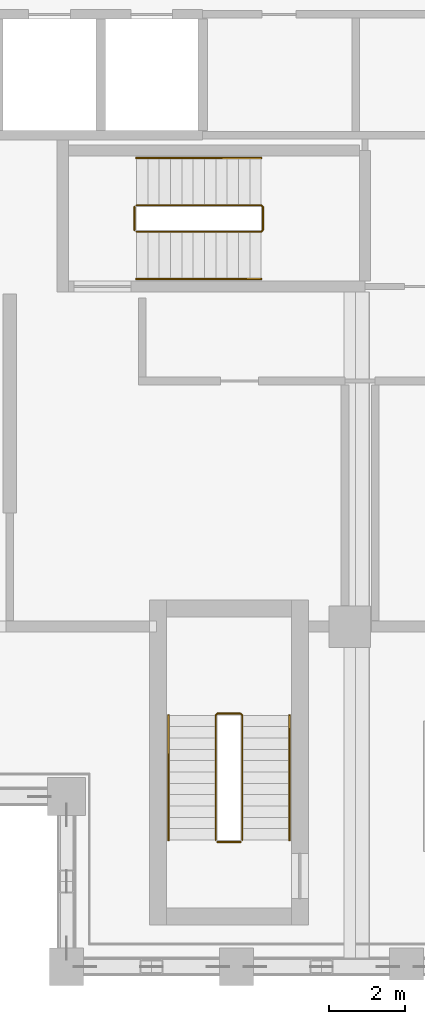
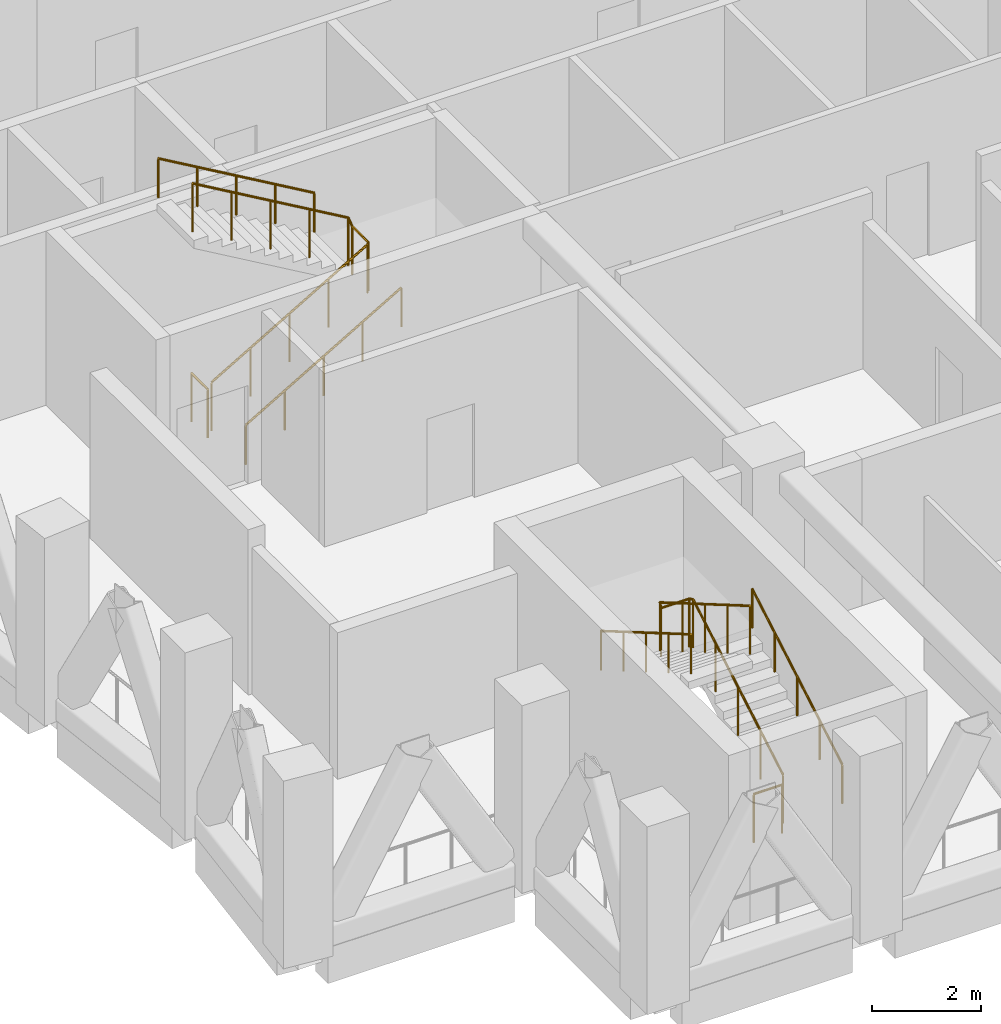
# One storey, part 16 of 18: 8 railings.
"""IFC4 building model written with IfcOpenShell, lengths in metres."""

from ifc_helpers import new_model, si_unit, direction, frame, origin, origin_2d, place, context, subcontext, project, spatial, circle, extrude, material, type_object, element, save


model = new_model("IFC4")

# Units and contexts
model_context = context("Model", 3, precision=1e-05, world=origin(), true_north=direction((0.0, 1.0)))
body_context = subcontext(model_context, "Body", "Model", "MODEL_VIEW")
ifc_project = project(units=[si_unit("LENGTHUNIT", "METRE"), si_unit("AREAUNIT", "SQUARE_METRE"), si_unit("VOLUMEUNIT", "CUBIC_METRE"), si_unit("PLANEANGLEUNIT", "RADIAN"), si_unit("MASSUNIT", "GRAM", prefix="KILO")], contexts=[model_context])

# Site, building, storey
site_placement = place(None, origin())
site = spatial("IfcSite", under=ifc_project, at=site_placement, CompositionType="ELEMENT")
building_placement = place(site_placement, origin())
building = spatial("IfcBuilding", under=site, at=building_placement, Name="Brondeck Convention Tower", CompositionType="ELEMENT")
storey_placement = place(building_placement, frame((0.0, 0.0, 248.199951171875)))
storey = spatial("IfcBuildingStorey", under=building, at=storey_placement, Name="L61", CompositionType="ELEMENT", Elevation=248.199951171875)

# Railings
ifc_material = material(Name="Steel S355", Category="steel")
railing_type_1 = type_object("IfcRailingType", Name="Stair guard 1100", PredefinedType="GUARDRAIL", material=ifc_material)
railing_1_placement = place(storey_placement, frame((6.35009765625, 37.449951171875, 0.175048828125)))
element("IfcRailing", 1, at=railing_1_placement, inside=storey, type_object=railing_type_1, Name="L61 ST-1 stair guard 1", PredefinedType="GUARDRAIL", context=body_context, shape_type="SweptSolid", body=[
    extrude(circle(Radius=0.02392578125, at=origin_2d()), frame((0.0, 0.0, 1.076171875), z_axis=(0.863760357493, 0.0, 0.503902812876), x_axis=(0.0, 1.0, 0.0)), (0.0, 0.0, 1.0), 3.8203125),
    extrude(circle(Radius=0.02392578125, at=origin_2d()), frame((3.2998046875, 0.0, 3.0009765625), z_axis=(0.707106781187, 0.707106781187, 0.0), x_axis=(-0.707106781187, 0.707106781187, 0.0)), (0.0, 0.0, 1.0), 0.07080078125),
    extrude(circle(Radius=0.02392578125, at=origin_2d()), frame((3.349853515625, 0.050048828125, 3.0009765625), z_axis=(0.0, 1.0, 0.0), x_axis=(-1.0, 0.0, 0.0)), (0.0, 0.0, 1.0), 0.60009765625),
    extrude(circle(Radius=0.02392578125, at=origin_2d()), frame((3.349853515625, 0.650146484375, 3.0009765625), z_axis=(-0.265155923931, 0.263862480399, 0.927399011991), x_axis=(-0.705375805398, -0.708833529934, 0.0)), (0.0, 0.0, 1.0), 0.188720703125),
    extrude(circle(Radius=0.02392578125, at=origin_2d()), frame((3.2998046875, 0.699951171875, 3.17626953125), z_axis=(-0.863788172461, 0.0, 0.503855131081), x_axis=(0.0, -1.0, 0.0)), (0.0, 0.0, 1.0), 3.820068359375),
    extrude(circle(Radius=0.02099609375, at=origin_2d()), origin(), (0.0, 0.0, 1.0), 1.052001953125),
    extrude(circle(Radius=0.02099609375, at=origin_2d()), frame((0.824951171875, 0.0, 0.481201171875)), (0.0, 0.0, 1.0), 1.052001953125),
    extrude(circle(Radius=0.02099609375, at=origin_2d()), frame((1.64990234375, 0.0, 0.96240234375)), (0.0, 0.0, 1.0), 1.052001953125),
    extrude(circle(Radius=0.02099609375, at=origin_2d()), frame((2.474853515625, 0.0, 1.44384765625)), (0.0, 0.0, 1.0), 1.052001953125),
    extrude(circle(Radius=0.02099609375, at=origin_2d()), frame((3.2998046875, 0.0, 1.925048828125)), (0.0, 0.0, 1.0), 1.052001953125),
    extrude(circle(Radius=0.02099609375, at=origin_2d()), frame((3.349853515625, 0.050048828125, 1.925048828125)), (0.0, 0.0, 1.0), 1.052001953125),
    extrude(circle(Radius=0.02099609375, at=origin_2d()), frame((3.349853515625, 0.650146484375, 1.925048828125)), (0.0, 0.0, 1.0), 1.052001953125),
    extrude(circle(Radius=0.02099609375, at=origin_2d()), frame((3.2998046875, 0.699951171875, 2.10009765625)), (0.0, 0.0, 1.0), 1.052001953125),
    extrude(circle(Radius=0.02099609375, at=origin_2d()), frame((2.474853515625, 0.699951171875, 2.581298828125)), (0.0, 0.0, 1.0), 1.052001953125),
    extrude(circle(Radius=0.02099609375, at=origin_2d()), frame((1.64990234375, 0.699951171875, 3.0625)), (0.0, 0.0, 1.0), 1.052001953125),
    extrude(circle(Radius=0.02099609375, at=origin_2d()), frame((0.824951171875, 0.699951171875, 3.543701171875)), (0.0, 0.0, 1.0), 1.052001953125),
    extrude(circle(Radius=0.02099609375, at=origin_2d()), frame((0.0, 0.699951171875, 4.02490234375)), (0.0, 0.0, 1.0), 1.052001953125),
])
railing_2_placement = place(storey_placement, frame((6.300048828125, 37.5, 0.0)))
element("IfcRailing", 2, at=railing_2_placement, inside=storey, type_object=railing_type_1, Name="L61 ST-1 stair guard 2", PredefinedType="GUARDRAIL", context=body_context, shape_type="SweptSolid", body=[
    extrude(circle(Radius=0.02392578125, at=origin_2d()), frame((0.0, 0.0, 1.076171875), z_axis=(0.0, 1.0, 0.0), x_axis=(-1.0, 0.0, 0.0)), (0.0, 0.0, 1.0), 0.60009765625),
    extrude(circle(Radius=0.02099609375, at=origin_2d()), origin(), (0.0, 0.0, 1.0), 1.052001953125),
    extrude(circle(Radius=0.02099609375, at=origin_2d()), frame((0.0, 0.60009765625, 0.0)), (0.0, 0.0, 1.0), 1.052001953125),
])
railing_3_placement = place(storey_placement, frame((9.14990234375, 21.35009765625, 0.175048828125)))
element("IfcRailing", 3, at=railing_3_placement, inside=storey, type_object=railing_type_1, Name="L61 ST-BE stair guard 1", PredefinedType="GUARDRAIL", context=body_context, shape_type="SweptSolid", body=[
    extrude(circle(Radius=0.02392578125, at=origin_2d()), frame((0.0, 0.0, 1.076171875), z_axis=(0.0, 0.863760357493, 0.503902812876), x_axis=(-1.0, 0.0, 0.0)), (0.0, 0.0, 1.0), 3.8203125),
    extrude(circle(Radius=0.02392578125, at=origin_2d()), frame((0.0, 3.2998046875, 3.0009765625), z_axis=(-0.705375805398, 0.708833529934, 0.0), x_axis=(-0.708833529934, -0.705375805398, 0.0)), (0.0, 0.0, 1.0), 0.070556640625),
    extrude(circle(Radius=0.02392578125, at=origin_2d()), frame((-0.0498046875, 3.349853515625, 3.0009765625), z_axis=(-1.0, 0.0, 0.0), x_axis=(0.0, -1.0, 0.0)), (0.0, 0.0, 1.0), 0.60009765625),
    extrude(circle(Radius=0.02392578125, at=origin_2d()), frame((-0.64990234375, 3.349853515625, 3.0009765625), z_axis=(-0.265065253269, -0.265065253269, 0.927081885822), x_axis=(0.707106781187, -0.707106781187, 0.0)), (0.0, 0.0, 1.0), 0.188720703125),
    extrude(circle(Radius=0.02392578125, at=origin_2d()), frame((-0.699951171875, 3.2998046875, 3.17626953125), z_axis=(0.0, -0.863788172461, 0.503855131081), x_axis=(1.0, 0.0, 0.0)), (0.0, 0.0, 1.0), 3.820068359375),
    extrude(circle(Radius=0.02099609375, at=origin_2d()), origin(), (0.0, 0.0, 1.0), 1.052001953125),
    extrude(circle(Radius=0.02099609375, at=origin_2d()), frame((0.0, 0.824951171875, 0.481201171875)), (0.0, 0.0, 1.0), 1.052001953125),
    extrude(circle(Radius=0.02099609375, at=origin_2d()), frame((0.0, 1.64990234375, 0.96240234375)), (0.0, 0.0, 1.0), 1.052001953125),
    extrude(circle(Radius=0.02099609375, at=origin_2d()), frame((0.0, 2.474853515625, 1.44384765625)), (0.0, 0.0, 1.0), 1.052001953125),
    extrude(circle(Radius=0.02099609375, at=origin_2d()), frame((0.0, 3.2998046875, 1.925048828125)), (0.0, 0.0, 1.0), 1.052001953125),
    extrude(circle(Radius=0.02099609375, at=origin_2d()), frame((-0.0498046875, 3.349853515625, 1.925048828125)), (0.0, 0.0, 1.0), 1.052001953125),
    extrude(circle(Radius=0.02099609375, at=origin_2d()), frame((-0.64990234375, 3.349853515625, 1.925048828125)), (0.0, 0.0, 1.0), 1.052001953125),
    extrude(circle(Radius=0.02099609375, at=origin_2d()), frame((-0.699951171875, 3.2998046875, 2.10009765625)), (0.0, 0.0, 1.0), 1.052001953125),
    extrude(circle(Radius=0.02099609375, at=origin_2d()), frame((-0.699951171875, 2.474853515625, 2.581298828125)), (0.0, 0.0, 1.0), 1.052001953125),
    extrude(circle(Radius=0.02099609375, at=origin_2d()), frame((-0.699951171875, 1.64990234375, 3.0625)), (0.0, 0.0, 1.0), 1.052001953125),
    extrude(circle(Radius=0.02099609375, at=origin_2d()), frame((-0.699951171875, 0.824951171875, 3.543701171875)), (0.0, 0.0, 1.0), 1.052001953125),
    extrude(circle(Radius=0.02099609375, at=origin_2d()), frame((-0.699951171875, 0.0, 4.02490234375)), (0.0, 0.0, 1.0), 1.052001953125),
])
railing_4_placement = place(storey_placement, frame((9.10009765625, 21.300048828125, 0.0)))
element("IfcRailing", 4, at=railing_4_placement, inside=storey, type_object=railing_type_1, Name="L61 ST-BE stair guard 2", PredefinedType="GUARDRAIL", context=body_context, shape_type="SweptSolid", body=[
    extrude(circle(Radius=0.02392578125, at=origin_2d()), frame((0.0, 0.0, 1.076171875), z_axis=(-1.0, 0.0, 0.0), x_axis=(0.0, -1.0, 0.0)), (0.0, 0.0, 1.0), 0.60009765625),
    extrude(circle(Radius=0.02099609375, at=origin_2d()), origin(), (0.0, 0.0, 1.0), 1.052001953125),
    extrude(circle(Radius=0.02099609375, at=origin_2d()), frame((-0.60009765625, 0.0, 0.0)), (0.0, 0.0, 1.0), 1.052001953125),
])
railing_type_2 = type_object("IfcRailingType", Name="Stair handrail", PredefinedType="HANDRAIL", material=ifc_material)
railing_5_placement = place(storey_placement, frame((6.35009765625, 36.199951171875, 0.175048828125)))
element("IfcRailing", 5, at=railing_5_placement, inside=storey, type_object=railing_type_2, Name="L61 ST-1 stair handrail 1", PredefinedType="HANDRAIL", context=body_context, shape_type="SweptSolid", body=[
    extrude(circle(Radius=0.02392578125, at=origin_2d()), frame((0.0, 0.0, 0.8759765625), z_axis=(0.863760357493, 0.0, 0.503902812876), x_axis=(0.0, 1.0, 0.0)), (0.0, 0.0, 1.0), 3.8203125),
    extrude(circle(Radius=0.02099609375, at=origin_2d()), origin(), (0.0, 0.0, 1.0), 0.851806640625),
    extrude(circle(Radius=0.02099609375, at=origin_2d()), frame((0.824951171875, 0.0, 0.481201171875)), (0.0, 0.0, 1.0), 0.851806640625),
    extrude(circle(Radius=0.02099609375, at=origin_2d()), frame((1.64990234375, 0.0, 0.96240234375)), (0.0, 0.0, 1.0), 0.851806640625),
    extrude(circle(Radius=0.02099609375, at=origin_2d()), frame((2.474853515625, 0.0, 1.44384765625)), (0.0, 0.0, 1.0), 0.851806640625),
    extrude(circle(Radius=0.02099609375, at=origin_2d()), frame((3.2998046875, 0.0, 1.925048828125)), (0.0, 0.0, 1.0), 0.851806640625),
])
railing_6_placement = place(storey_placement, frame((9.64990234375, 39.39990234375, 2.275146484375)))
element("IfcRailing", 6, at=railing_6_placement, inside=storey, type_object=railing_type_2, Name="L61 ST-1 stair handrail 2", PredefinedType="HANDRAIL", context=body_context, shape_type="SweptSolid", body=[
    extrude(circle(Radius=0.02392578125, at=origin_2d()), frame((0.0, 0.0, 0.8759765625), z_axis=(-0.863788172461, 0.0, 0.503855131081), x_axis=(0.0, -1.0, 0.0)), (0.0, 0.0, 1.0), 3.820068359375),
    extrude(circle(Radius=0.02099609375, at=origin_2d()), origin(), (0.0, 0.0, 1.0), 0.851806640625),
    extrude(circle(Radius=0.02099609375, at=origin_2d()), frame((-0.824951171875, 0.0, 0.481201171875)), (0.0, 0.0, 1.0), 0.851806640625),
    extrude(circle(Radius=0.02099609375, at=origin_2d()), frame((-1.64990234375, 0.0, 0.96240234375)), (0.0, 0.0, 1.0), 0.851806640625),
    extrude(circle(Radius=0.02099609375, at=origin_2d()), frame((-2.474853515625, 0.0, 1.443603515625)), (0.0, 0.0, 1.0), 0.851806640625),
    extrude(circle(Radius=0.02099609375, at=origin_2d()), frame((-3.2998046875, 0.0, 1.9248046875)), (0.0, 0.0, 1.0), 0.851806640625),
])
railing_7_placement = place(storey_placement, frame((10.39990234375, 21.35009765625, 0.175048828125)))
element("IfcRailing", 7, at=railing_7_placement, inside=storey, type_object=railing_type_2, Name="L61 ST-BE stair handrail 1", PredefinedType="HANDRAIL", context=body_context, shape_type="SweptSolid", body=[
    extrude(circle(Radius=0.02392578125, at=origin_2d()), frame((0.0, 0.0, 0.8759765625), z_axis=(0.0, 0.863760357493, 0.503902812876), x_axis=(-1.0, 0.0, 0.0)), (0.0, 0.0, 1.0), 3.8203125),
    extrude(circle(Radius=0.02099609375, at=origin_2d()), origin(), (0.0, 0.0, 1.0), 0.851806640625),
    extrude(circle(Radius=0.02099609375, at=origin_2d()), frame((0.0, 0.824951171875, 0.481201171875)), (0.0, 0.0, 1.0), 0.851806640625),
    extrude(circle(Radius=0.02099609375, at=origin_2d()), frame((0.0, 1.64990234375, 0.96240234375)), (0.0, 0.0, 1.0), 0.851806640625),
    extrude(circle(Radius=0.02099609375, at=origin_2d()), frame((0.0, 2.474853515625, 1.44384765625)), (0.0, 0.0, 1.0), 0.851806640625),
    extrude(circle(Radius=0.02099609375, at=origin_2d()), frame((0.0, 3.2998046875, 1.925048828125)), (0.0, 0.0, 1.0), 0.851806640625),
])
railing_8_placement = place(storey_placement, frame((7.199951171875, 24.64990234375, 2.275146484375)))
element("IfcRailing", 8, at=railing_8_placement, inside=storey, type_object=railing_type_2, Name="L61 ST-BE stair handrail 2", PredefinedType="HANDRAIL", context=body_context, shape_type="SweptSolid", body=[
    extrude(circle(Radius=0.02392578125, at=origin_2d()), frame((0.0, 0.0, 0.8759765625), z_axis=(0.0, -0.863788172461, 0.503855131081), x_axis=(1.0, 0.0, 0.0)), (0.0, 0.0, 1.0), 3.820068359375),
    extrude(circle(Radius=0.02099609375, at=origin_2d()), origin(), (0.0, 0.0, 1.0), 0.851806640625),
    extrude(circle(Radius=0.02099609375, at=origin_2d()), frame((0.0, -0.824951171875, 0.481201171875)), (0.0, 0.0, 1.0), 0.851806640625),
    extrude(circle(Radius=0.02099609375, at=origin_2d()), frame((0.0, -1.64990234375, 0.96240234375)), (0.0, 0.0, 1.0), 0.851806640625),
    extrude(circle(Radius=0.02099609375, at=origin_2d()), frame((0.0, -2.474853515625, 1.443603515625)), (0.0, 0.0, 1.0), 0.851806640625),
    extrude(circle(Radius=0.02099609375, at=origin_2d()), frame((0.0, -3.2998046875, 1.9248046875)), (0.0, 0.0, 1.0), 0.851806640625),
])

save(model, "model.ifc")
